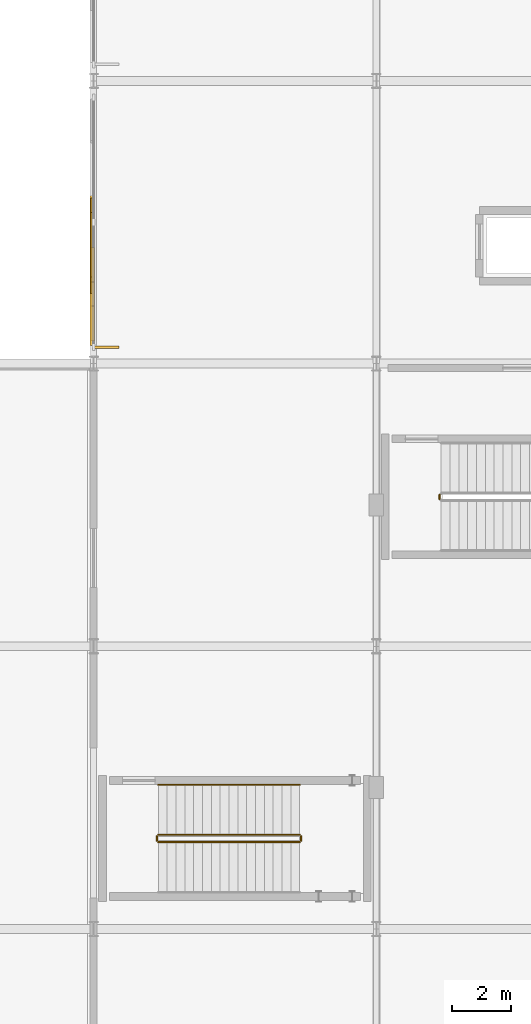
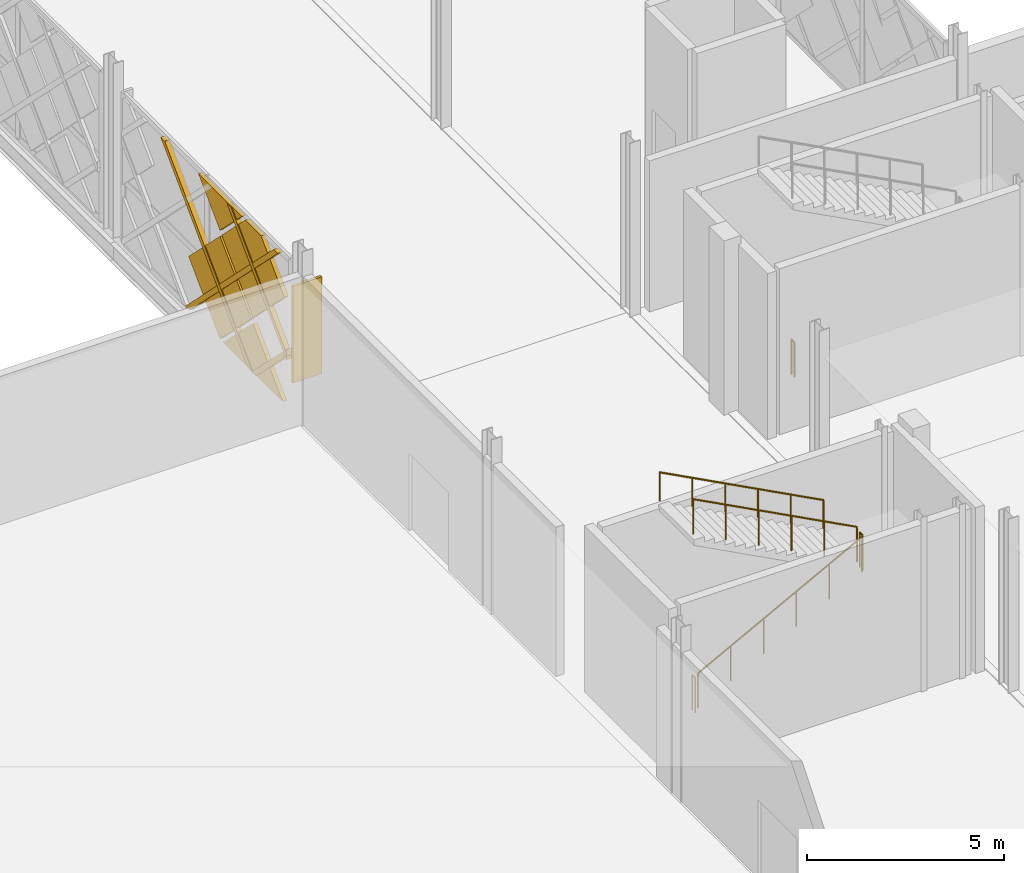
# One storey, part 66 of 84: 8 coverings, 6 railings, 1 shading device.
"""IFC4 building model written with IfcOpenShell, lengths in metres."""

from ifc_helpers import new_model, si_unit, direction, frame, origin, origin_2d, place, context, subcontext, project, spatial, polyline, rectangle, circle, outline, extrude, material, layer, layer_set, type_object, element, save


model = new_model("IFC4")

# Units and contexts
model_context = context("Model", 3, precision=1e-05, world=origin(), true_north=direction((0.0, 1.0)))
body_context = subcontext(model_context, "Body", "Model", "MODEL_VIEW")
ifc_project = project(units=[si_unit("LENGTHUNIT", "METRE"), si_unit("AREAUNIT", "SQUARE_METRE"), si_unit("VOLUMEUNIT", "CUBIC_METRE"), si_unit("PLANEANGLEUNIT", "RADIAN"), si_unit("MASSUNIT", "GRAM", prefix="KILO")], contexts=[model_context])

# Site, building, storey
site_placement = place(None, origin())
site = spatial("IfcSite", under=ifc_project, at=site_placement, CompositionType="ELEMENT")
building_placement = place(site_placement, origin())
building = spatial("IfcBuilding", under=site, at=building_placement, Name="Zevrakil Square Congress Hotel", CompositionType="ELEMENT")
storey_placement = place(building_placement, origin())
storey = spatial("IfcBuildingStorey", under=building, at=storey_placement, Name="L01", CompositionType="ELEMENT", Elevation=0.0)

# Coverings
ifc_material_1 = material(Name="Architectural White Fibre-C GRC", Category="concrete")
ifc_layer_1 = layer(ifc_material_1, 0.06494140625)
ifc_layer_set_1 = layer_set([ifc_layer_1], Name="Architectural White Fibre-C GRC")
covering_type_1 = type_object("IfcCoveringType", Name="COV-DIA-WHITE", PredefinedType="CLADDING", material=ifc_layer_set_1)
covering_1_placement = place(storey_placement, frame((45.506103515625, 47.9599609375, 1.590087890625), z_axis=(-0.999999673239, 0.0, 0.000808407173), x_axis=(-0.000571630288, -0.707106665659, -0.707106665659)))
element("IfcCovering", 1, at=covering_1_placement, inside=storey, type_object=covering_type_1, Name="L01 45-degree white GRC diamond facade cassette 430", PredefinedType="CLADDING", context=body_context, shape_type="SweptSolid", body=[
    extrude(outline(polyline([(0.0, 0.0), (2.1354766387581616, -2.220446049250313e-16), (6.977908784122633e-07, -2.135476638758047), (0.0, 0.0)])), origin(), (0.0, 0.0, -1.0), 0.1201171875),
])
covering_2_placement = place(storey_placement, frame((45.507080078125, 49.639892578125, 3.27001953125), z_axis=(-0.999999811377, 0.0, 0.000614203339), x_axis=(-0.00043434073, -0.707052423991, -0.707161000817)))
element("IfcCovering", 2, at=covering_2_placement, inside=storey, type_object=covering_type_1, Name="L01 45-degree white GRC diamond facade cassette 431", PredefinedType="CLADDING", context=body_context, shape_type="SweptSolid", body=[
    extrude(outline(polyline([(0.0, 0.0), (2.2485514454867683, -2.220446049250313e-16), (2.2487244898357783, -2.248378798725448), (0.0001730708570240047, -2.2487240656748693), (0.0, 0.0)])), origin(), (0.0, 0.0, -1.0), 0.1201171875),
])
covering_3_placement = place(storey_placement, frame((45.507080078125, 46.3701171875, 3.360107421875), z_axis=(-0.999999810212, 0.0, 0.000616097645), x_axis=(-0.00043568031, 0.707052423992, -0.707160999992)))
element("IfcCovering", 3, at=covering_3_placement, inside=storey, type_object=covering_type_1, Name="L01 45-degree white GRC diamond facade cassette 433", PredefinedType="CLADDING", context=body_context, shape_type="SweptSolid", body=[
    extrude(outline(polyline([(0.0, 0.0), (2.2485514454846505, 2.220446049250313e-16), (2.248378374631862, -2.2487240656727514), (0.572624930769719, -2.248422777544064), (-0.00012896151653973842, -1.6755808236168326), (0.0, 0.0)])), origin(), (0.0, 0.0, -1.0), 0.1201171875),
])
covering_4_placement = place(storey_placement, frame((45.507080078125, 49.639892578125, 3.449951171875), z_axis=(-0.999999776289, 0.0, 0.000668896171), x_axis=(0.000472928345, 0.707185519108, 0.707027876326)))
element("IfcCovering", 4, at=covering_4_placement, inside=storey, type_object=covering_type_1, Name="L01 45-degree white GRC diamond facade cassette 434", PredefinedType="CLADDING", context=body_context, shape_type="SweptSolid", body=[
    extrude(outline(polyline([(0.0, 0.0), (1.548695235065375, 0.0), (-0.00017226784455326438, -1.5485225823893258), (0.0, 0.0)])), origin(), (0.0, 0.0, -1.0), 0.1201171875),
])
ifc_material_2 = material(Name="Anodised Champagne Aluminium", Category="aluminium")
ifc_layer_2 = layer(ifc_material_2, 0.0849609375)
ifc_layer_set_2 = layer_set([ifc_layer_2], Name="Anodised Champagne Aluminium")
covering_type_2 = type_object("IfcCoveringType", Name="COV-DIAGRID-45", PredefinedType="MOLDING", material=ifc_layer_set_2)
covering_5_placement = place(storey_placement, frame((45.47998046875, 51.1337890625, 0.080078125), z_axis=(-0.999999819107, 0.0, 0.000601487205), x_axis=(0.0, 1.0, 0.0)))
element("IfcCovering", 5, at=covering_5_placement, inside=storey, type_object=covering_type_2, Name="L01 45-degree aluminium diagrid rib 437", PredefinedType="MOLDING", context=body_context, shape_type="SweptSolid", body=[
    extrude(outline(polyline([(0.0, 0.0), (0.21240234375, 0.0), (-4.252685546875, -4.464844557661115), (-4.46484375, -4.464844557661115), (0.0, 0.0)])), origin(), (0.0, 0.0, -1.0), 0.14501953125),
])
covering_6_placement = place(storey_placement, frame((45.47998046875, 47.77392578125, 0.080078125), z_axis=(-0.999999560023, 0.000243912728, 0.000905792413), x_axis=(0.000243912628, 0.999999970253, -2.20934e-07)))
element("IfcCovering", 6, at=covering_6_placement, inside=storey, type_object=covering_type_2, Name="L01 45-degree aluminium diagrid rib 438", PredefinedType="MOLDING", context=body_context, shape_type="SweptSolid", body=[
    extrude(outline(polyline([(0.0, 0.0), (0.21215819681399145, 0.0), (-1.5539551243500522, -1.766113662440911), (-1.5539551369720694, -1.5537111846840042), (0.0, 0.0)])), origin(), (0.0, 0.0, -1.0), 0.14501953125),
])
covering_7_placement = place(storey_placement, frame((45.482666015625, 52.611083984375, 4.544921875), z_axis=(-0.999999819107, 0.0, 0.000601487205), x_axis=(0.0, -1.0, 0.0)))
element("IfcCovering", 7, at=covering_7_placement, inside=storey, type_object=covering_type_2, Name="L01 45-degree aluminium diagrid rib 440", PredefinedType="MOLDING", context=body_context, shape_type="SweptSolid", body=[
    extrude(outline(polyline([(0.0, 0.0), (0.212158203125, 0.0), (4.67724609375, -4.464844557661115), (4.465087890625, -4.464844557661115), (0.0, 0.0)])), origin(), (0.0, 0.0, -1.0), 0.14501953125),
])
covering_8_placement = place(storey_placement, frame((45.482666015625, 49.251220703125, 4.544921875), z_axis=(-0.999999914657, 0.000291967289, 0.000292303269), x_axis=(-0.000291967276, -0.999999957378, 8.5343e-08)))
element("IfcCovering", 8, at=covering_8_placement, inside=storey, type_object=covering_type_2, Name="L01 45-degree aluminium diagrid rib 441", PredefinedType="MOLDING", context=body_context, shape_type="SweptSolid", body=[
    extrude(outline(polyline([(0.0, 0.0), (0.2124023346968918, 0.0), (3.031250129199306, -2.8188480353688634), (3.0312501110930894, -3.0310062294303366), (0.0, 0.0)])), origin(), (0.0, 0.0, -1.0), 0.14501953125),
])

# Railings
ifc_material_3 = material(Name="Steel S355", Category="steel")
railing_type_1 = type_object("IfcRailingType", Name="RLG-STAIR-GUARD-1100", PredefinedType="BALUSTRADE", material=ifc_material_3)
railing_1_placement = place(storey_placement, frame((57.35009765625, 41.0, 0.0)))
element("IfcRailing", 9, at=railing_1_placement, inside=storey, type_object=railing_type_1, Name="L01 ST04 stair guard 4", PredefinedType="BALUSTRADE", context=body_context, shape_type="SweptSolid", body=[
    extrude(circle(Radius=0.02392578125, at=origin_2d()), frame((0.0, 0.0, 1.076171875), z_axis=(0.0, 1.0, 0.0), x_axis=(-1.0, 0.0, 0.0)), (0.0, 0.0, 1.0), 0.14990234375),
    extrude(circle(Radius=0.02099609375, at=origin_2d()), origin(), (0.0, 0.0, 1.0), 1.052001953125),
    extrude(circle(Radius=0.02099609375, at=origin_2d()), frame((0.0, 0.14990234375, 0.0)), (0.0, 0.0, 1.0), 1.052001953125),
])
railing_2_placement = place(storey_placement, frame((47.800048828125, 29.35009765625, 0.158935546875)))
element("IfcRailing", 10, at=railing_2_placement, inside=storey, type_object=railing_type_1, Name="L01 ST13 stair guard 1", PredefinedType="BALUSTRADE", context=body_context, shape_type="SweptSolid", body=[
    extrude(circle(Radius=0.02392578125, at=origin_2d()), frame((0.0, 0.0, 1.076171875), z_axis=(0.883802130504, 0.0, 0.467860870469), x_axis=(0.0, 1.0, 0.0)), (0.0, 0.0, 1.0), 5.43115234375),
    extrude(circle(Radius=0.02099609375, at=origin_2d()), origin(), (0.0, 0.0, 1.0), 1.052001953125),
    extrude(circle(Radius=0.02099609375, at=origin_2d()), frame((0.9599609375, 0.0, 0.50830078125)), (0.0, 0.0, 1.0), 1.052001953125),
    extrude(circle(Radius=0.02099609375, at=origin_2d()), frame((1.919921875, 0.0, 1.016357421875)), (0.0, 0.0, 1.0), 1.052001953125),
    extrude(circle(Radius=0.02099609375, at=origin_2d()), frame((2.880126953125, 0.0, 1.524658203125)), (0.0, 0.0, 1.0), 1.052001953125),
    extrude(circle(Radius=0.02099609375, at=origin_2d()), frame((3.840087890625, 0.0, 2.03271484375)), (0.0, 0.0, 1.0), 1.052001953125),
    extrude(circle(Radius=0.02099609375, at=origin_2d()), frame((4.800048828125, 0.0, 2.541015625)), (0.0, 0.0, 1.0), 1.052001953125),
])
railing_3_placement = place(storey_placement, frame((52.64990234375, 29.39990234375, 2.699951171875)))
element("IfcRailing", 11, at=railing_3_placement, inside=storey, type_object=railing_type_1, Name="L01 ST13 stair guard 2", PredefinedType="BALUSTRADE", context=body_context, shape_type="SweptSolid", body=[
    extrude(circle(Radius=0.02392578125, at=origin_2d()), frame((0.0, 0.0, 1.076171875), z_axis=(0.0, 1.0, 0.0), x_axis=(-1.0, 0.0, 0.0)), (0.0, 0.0, 1.0), 0.150146484375),
    extrude(circle(Radius=0.02099609375, at=origin_2d()), origin(), (0.0, 0.0, 1.0), 1.052001953125),
    extrude(circle(Radius=0.02099609375, at=origin_2d()), frame((0.0, 0.150146484375, 0.0)), (0.0, 0.0, 1.0), 1.052001953125),
])
railing_4_placement = place(storey_placement, frame((52.60009765625, 29.60009765625, 2.85888671875)))
element("IfcRailing", 12, at=railing_4_placement, inside=storey, type_object=railing_type_1, Name="L01 ST13 stair guard 3", PredefinedType="BALUSTRADE", context=body_context, shape_type="SweptSolid", body=[
    extrude(circle(Radius=0.02392578125, at=origin_2d()), frame((0.0, 0.0, 1.076171875), z_axis=(-0.883802130504, 0.0, 0.467860870469), x_axis=(0.0, -1.0, 0.0)), (0.0, 0.0, 1.0), 5.43115234375),
    extrude(circle(Radius=0.02099609375, at=origin_2d()), origin(), (0.0, 0.0, 1.0), 1.052001953125),
    extrude(circle(Radius=0.02099609375, at=origin_2d()), frame((-0.9599609375, 0.0, 0.50830078125)), (0.0, 0.0, 1.0), 1.052001953125),
    extrude(circle(Radius=0.02099609375, at=origin_2d()), frame((-1.919921875, 0.0, 1.016357421875)), (0.0, 0.0, 1.0), 1.052001953125),
    extrude(circle(Radius=0.02099609375, at=origin_2d()), frame((-2.880126953125, 0.0, 1.524658203125)), (0.0, 0.0, 1.0), 1.052001953125),
    extrude(circle(Radius=0.02099609375, at=origin_2d()), frame((-3.840087890625, 0.0, 2.03271484375)), (0.0, 0.0, 1.0), 1.052001953125),
    extrude(circle(Radius=0.02099609375, at=origin_2d()), frame((-4.800048828125, 0.0, 2.541015625)), (0.0, 0.0, 1.0), 1.052001953125),
])
railing_5_placement = place(storey_placement, frame((47.75, 29.39990234375, 0.0)))
element("IfcRailing", 13, at=railing_5_placement, inside=storey, type_object=railing_type_1, Name="L01 ST13 stair guard 4", PredefinedType="BALUSTRADE", context=body_context, shape_type="SweptSolid", body=[
    extrude(circle(Radius=0.02392578125, at=origin_2d()), frame((0.0, 0.0, 1.076171875), z_axis=(0.0, 1.0, 0.0), x_axis=(-1.0, 0.0, 0.0)), (0.0, 0.0, 1.0), 0.150146484375),
    extrude(circle(Radius=0.02099609375, at=origin_2d()), origin(), (0.0, 0.0, 1.0), 1.052001953125),
    extrude(circle(Radius=0.02099609375, at=origin_2d()), frame((0.0, 0.150146484375, 0.0)), (0.0, 0.0, 1.0), 1.052001953125),
])
ifc_material_4 = material(Name="Steel S355", Category="steel")
railing_type_2 = type_object("IfcRailingType", Name="RLG-STAIR-HAND-900", PredefinedType="HANDRAIL", material=ifc_material_4)
railing_6_placement = place(storey_placement, frame((52.60009765625, 31.300048828125, 2.85888671875)))
element("IfcRailing", 14, at=railing_6_placement, inside=storey, type_object=railing_type_2, Name="L01 ST13 stair handrail 2", PredefinedType="HANDRAIL", context=body_context, shape_type="SweptSolid", body=[
    extrude(circle(Radius=0.02392578125, at=origin_2d()), frame((0.0, 0.0, 0.8759765625), z_axis=(-0.883802130504, 0.0, 0.467860870469), x_axis=(0.0, -1.0, 0.0)), (0.0, 0.0, 1.0), 5.43115234375),
    extrude(circle(Radius=0.02099609375, at=origin_2d()), origin(), (0.0, 0.0, 1.0), 0.851806640625),
    extrude(circle(Radius=0.02099609375, at=origin_2d()), frame((-0.9599609375, 0.0, 0.50830078125)), (0.0, 0.0, 1.0), 0.851806640625),
    extrude(circle(Radius=0.02099609375, at=origin_2d()), frame((-1.919921875, 0.0, 1.016357421875)), (0.0, 0.0, 1.0), 0.851806640625),
    extrude(circle(Radius=0.02099609375, at=origin_2d()), frame((-2.880126953125, 0.0, 1.524658203125)), (0.0, 0.0, 1.0), 0.851806640625),
    extrude(circle(Radius=0.02099609375, at=origin_2d()), frame((-3.840087890625, 0.0, 2.03271484375)), (0.0, 0.0, 1.0), 0.851806640625),
    extrude(circle(Radius=0.02099609375, at=origin_2d()), frame((-4.800048828125, 0.0, 2.541015625)), (0.0, 0.0, 1.0), 0.851806640625),
])

# Shading device
ifc_material_5 = material(Name="Aluminium Anodised Bronze", Category="aluminium")
shading_device_type = type_object("IfcShadingDeviceType", Name="SHD-FIN-85", PredefinedType="USERDEFINED", material=ifc_material_5)
shading_device_placement = place(storey_placement, frame((46.044921875, 46.159912109375, 0.8125), z_axis=(0.0, 0.0, 1.0), x_axis=(1.0, 0.0, 0.0)))
element("IfcShadingDevice", 15, at=shading_device_placement, inside=storey, type_object=shading_device_type, Name="L01 aluminium solar shading fin 23", ObjectType="SOLAR FIN", PredefinedType="USERDEFINED", context=body_context, shape_type="SweptSolid", body=[
    extrude(rectangle(XDim=0.85009765625, YDim=0.080078125, at=origin_2d()), origin(), (0.0, 0.0, 1.0), 3.0),
])

save(model, "model.ifc")
